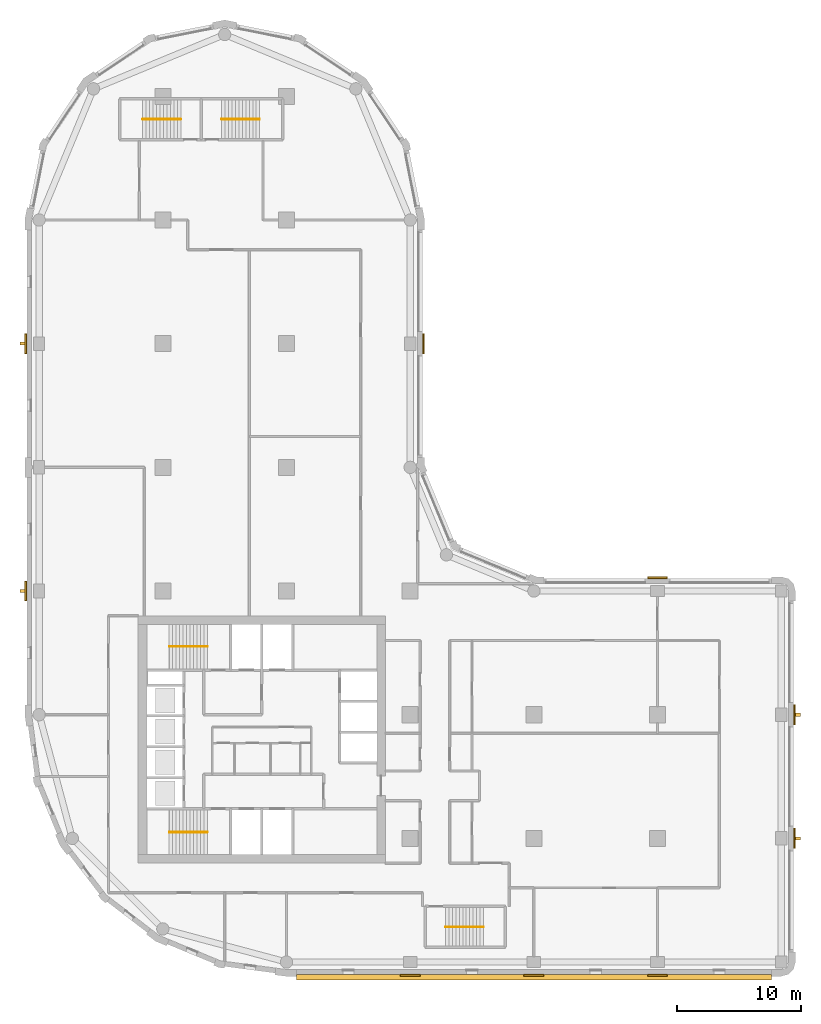
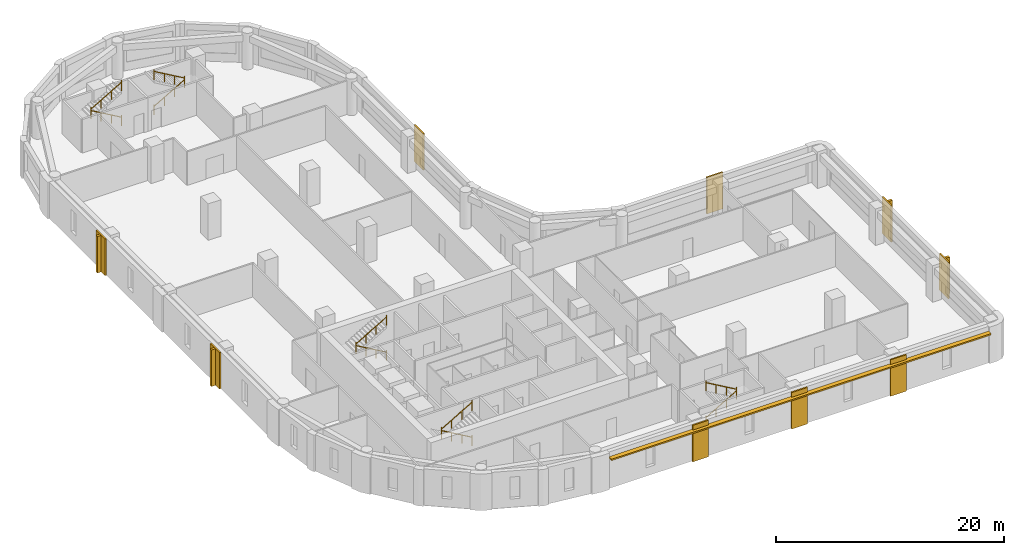
# One storey, part 8 of 9: 10 railings, 9 coverings, 5 shading devices.
"""IFC4 building model written with IfcOpenShell, lengths in metres."""

from ifc_helpers import new_model, si_unit, direction, frame, origin, origin_2d, place, context, subcontext, project, spatial, polyline, rectangle, circle, outline, extrude, material, layer, layer_set, type_object, element, save


model = new_model("IFC4")

# Units and contexts
model_context = context("Model", 3, precision=1e-05, world=origin(), true_north=direction((0.0, 1.0)))
body_context = subcontext(model_context, "Body", "Model", "MODEL_VIEW")
ifc_project = project(units=[si_unit("LENGTHUNIT", "METRE"), si_unit("AREAUNIT", "SQUARE_METRE"), si_unit("VOLUMEUNIT", "CUBIC_METRE"), si_unit("PLANEANGLEUNIT", "RADIAN"), si_unit("MASSUNIT", "GRAM", prefix="KILO")], contexts=[model_context])

# Site, building, storey
site_placement = place(None, origin())
site = spatial("IfcSite", under=ifc_project, at=site_placement, CompositionType="ELEMENT")
building_placement = place(site_placement, origin())
building = spatial("IfcBuilding", under=site, at=building_placement, Name="Qaws Garden Tower", CompositionType="ELEMENT")
storey_placement = place(building_placement, frame((0.0, 0.0, 170.699951171875)))
storey = spatial("IfcBuildingStorey", under=building, at=storey_placement, Name="L41", CompositionType="ELEMENT", Elevation=170.699951171875)

# Coverings
ifc_material_1 = material(Name="Clay facing brick masonry", Category="masonry")
ifc_layer_1 = layer(ifc_material_1, 0.14990234375)
ifc_layer_set_1 = layer_set([ifc_layer_1], Name="Clay facing brick masonry")
covering_type = type_object("IfcCoveringType", Name="Brick pilaster facing 150 x 1600", PredefinedType="CLADDING", material=ifc_layer_set_1)
placement = place(storey_placement, origin())
element("IfcCovering", 1, at=placement, inside=storey, type_object=covering_type, Name="E-L41-pier-01", PredefinedType="CLADDING", context=body_context, shape_type="SweptSolid", body=[
    extrude(outline(polyline([(29.199951171875, -1.0), (30.800048828125, -1.0), (30.800048828125, -1.14990234375), (29.199951171875, -1.14990234375), (29.199951171875, -1.0)])), origin(), (0.0, 0.0, 1.0), 3.900146484375),
])
element("IfcCovering", 2, at=placement, inside=storey, type_object=covering_type, Name="E-L41-pier-02", PredefinedType="CLADDING", context=body_context, shape_type="SweptSolid", body=[
    extrude(outline(polyline([(39.199951171875, -1.0), (40.800048828125, -1.0), (40.800048828125, -1.14990234375), (39.199951171875, -1.14990234375), (39.199951171875, -1.0)])), origin(), (0.0, 0.0, 1.0), 3.900146484375),
])
element("IfcCovering", 3, at=placement, inside=storey, type_object=covering_type, Name="E-L41-pier-03", PredefinedType="CLADDING", context=body_context, shape_type="SweptSolid", body=[
    extrude(outline(polyline([(49.199951171875, -1.0), (50.800048828125, -1.0), (50.800048828125, -1.14990234375), (49.199951171875, -1.14990234375), (49.199951171875, -1.0)])), origin(), (0.0, 0.0, 1.0), 3.900146484375),
])
element("IfcCovering", 4, at=placement, inside=storey, type_object=covering_type, Name="E-L41-pier-05", PredefinedType="CLADDING", context=body_context, shape_type="SweptSolid", body=[
    extrude(outline(polyline([(61.0, 9.199951171875), (61.0, 10.800048828125), (61.14990234375, 10.800048828125), (61.14990234375, 9.199951171875), (61.0, 9.199951171875)])), origin(), (0.0, 0.0, 1.0), 3.900146484375),
])
element("IfcCovering", 5, at=placement, inside=storey, type_object=covering_type, Name="E-L41-pier-06", PredefinedType="CLADDING", context=body_context, shape_type="SweptSolid", body=[
    extrude(outline(polyline([(61.0, 19.199951171875), (61.0, 20.800048828125), (61.14990234375, 20.800048828125), (61.14990234375, 19.199951171875), (61.0, 19.199951171875)])), origin(), (0.0, 0.0, 1.0), 3.900146484375),
])
element("IfcCovering", 6, at=placement, inside=storey, type_object=covering_type, Name="E-L41-pier-08", PredefinedType="CLADDING", context=body_context, shape_type="SweptSolid", body=[
    extrude(outline(polyline([(50.800048828125, 31.0), (49.199951171875, 31.0), (49.199951171875, 31.14990234375), (50.800048828125, 31.14990234375), (50.800048828125, 31.0)])), origin(), (0.0, 0.0, 1.0), 3.900146484375),
])
element("IfcCovering", 7, at=placement, inside=storey, type_object=covering_type, Name="E-L41-pier-12", PredefinedType="CLADDING", context=body_context, shape_type="SweptSolid", body=[
    extrude(outline(polyline([(31.0, 49.199951171875), (31.0, 50.800048828125), (31.14990234375, 50.800048828125), (31.14990234375, 49.199951171875), (31.0, 49.199951171875)])), origin(), (0.0, 0.0, 1.0), 3.900146484375),
])
element("IfcCovering", 8, at=placement, inside=storey, type_object=covering_type, Name="E-L41-pier-22", PredefinedType="CLADDING", context=body_context, shape_type="SweptSolid", body=[
    extrude(outline(polyline([(-1.0, 50.800048828125), (-1.0, 49.199951171875), (-1.14990234375, 49.199951171875), (-1.14990234375, 50.800048828125), (-1.0, 50.800048828125)])), origin(), (0.0, 0.0, 1.0), 3.900146484375),
])
element("IfcCovering", 9, at=placement, inside=storey, type_object=covering_type, Name="E-L41-pier-24", PredefinedType="CLADDING", context=body_context, shape_type="SweptSolid", body=[
    extrude(outline(polyline([(-1.0, 30.800048828125), (-1.0, 29.199951171875), (-1.14990234375, 29.199951171875), (-1.14990234375, 30.800048828125), (-1.0, 30.800048828125)])), origin(), (0.0, 0.0, 1.0), 3.900146484375),
])

# Shading devices
ifc_material_2 = material(Name="Clay facing brick masonry", Category="masonry")
ifc_layer_2 = layer(ifc_material_2, 0.14990234375)
ifc_layer_set_2 = layer_set([ifc_layer_2], Name="Clay facing brick masonry")
shading_device_type_1 = type_object("IfcShadingDeviceType", Name="Brick sunshade band 450 x 150", PredefinedType="JALOUSIE", material=ifc_layer_set_2)
shading_device_placement = place(storey_placement, frame((0.0, 0.0, 3.25)))
element("IfcShadingDevice", 10, at=shading_device_placement, inside=storey, type_object=shading_device_type_1, Name="SUNSHADE 00", PredefinedType="JALOUSIE", context=body_context, shape_type="SweptSolid", body=[
    extrude(outline(polyline([(20.800048828125, -1.0), (20.800048828125, -1.449951171875), (59.199951171875, -1.449951171875), (59.199951171875, -1.0), (50.800048828125, -1.0), (50.800048828125, -1.14990234375), (49.199951171875, -1.14990234375), (49.199951171875, -1.0), (40.800048828125, -1.0), (40.800048828125, -1.14990234375), (39.199951171875, -1.14990234375), (39.199951171875, -1.0), (30.800048828125, -1.0), (30.800048828125, -1.14990234375), (29.199951171875, -1.14990234375), (29.199951171875, -1.0), (20.800048828125, -1.0)])), origin(), (0.0, 0.0, 1.0), 0.150146484375),
])
ifc_material_3 = material(Name="Clay facing brick masonry", Category="masonry")
ifc_layer_3 = layer(ifc_material_3, 0.25)
ifc_layer_set_3 = layer_set([ifc_layer_3], Name="Clay facing brick masonry")
shading_device_type_2 = type_object("IfcShadingDeviceType", Name="Brick-faced fin 250 x 400", PredefinedType="USERDEFINED", material=ifc_layer_set_3)
for number, where, z_axis, x_axis, name in (
    (11, (61.35009765625, 10.0, 0.0), (0.0, 0.0, 1.0), (0.0, 1.0, 0.0), "FIN 05"),
    (12, (61.35009765625, 20.0, 0.0), (0.0, 0.0, 1.0), (0.0, 1.0, 0.0), "FIN 06"),
    (13, (-1.35009765625, 50.0, 0.0), (0.0, 0.0, 1.0), (0.0, -1.0, 0.0), "FIN 22"),
    (14, (-1.35009765625, 30.0, 0.0), (0.0, 0.0, 1.0), (0.0, -1.0, 0.0), "FIN 24"),
):
    element("IfcShadingDevice", number, at=place(storey_placement, frame(where, z_axis=z_axis, x_axis=x_axis)), inside=storey, type_object=shading_device_type_2, Name=name, ObjectType="FIN", PredefinedType="USERDEFINED", context=body_context, shape_type="SweptSolid", body=[
        extrude(rectangle(XDim=0.25, YDim=0.39990234375, at=origin_2d()), origin(), (0.0, 0.0, 1.0), 3.89990234375),
    ])

# Railings
ifc_material_4 = material(Name="Steel S355", Category="steel")
railing_type = type_object("IfcRailingType", Name="Stair handrail 900", PredefinedType="HANDRAIL", material=ifc_material_4)
railing_1_placement = place(storey_placement, frame((13.60009765625, 10.5, 0.16259765625)))
element("IfcRailing", 15, at=railing_1_placement, inside=storey, type_object=railing_type, Name="Stair 1 handrail", PredefinedType="HANDRAIL", context=body_context, shape_type="SweptSolid", body=[
    extrude(circle(Radius=0.02392578125, at=origin_2d()), frame((0.0, 0.0, 0.8759765625), z_axis=(-0.864920483161, 0.0, 0.501908913857), x_axis=(0.0, -1.0, 0.0)), (0.0, 0.0, 1.0), 3.56103515625),
    extrude(circle(Radius=0.02099609375, at=origin_2d()), origin(), (0.0, 0.0, 1.0), 1.06201171875),
    extrude(circle(Radius=0.02099609375, at=origin_2d()), frame((-1.026611328125, 0.0, 0.595703125)), (0.0, 0.0, 1.0), 0.851806640625),
    extrude(circle(Radius=0.02099609375, at=origin_2d()), frame((-2.053466796875, 0.0, 1.191650390625)), (0.0, 0.0, 1.0), 0.851806640625),
    extrude(circle(Radius=0.02099609375, at=origin_2d()), frame((-3.080078125, 0.0, 1.787353515625)), (0.0, 0.0, 1.0), 1.06201171875),
])
railing_2_placement = place(storey_placement, frame((10.52001953125, 10.5, 2.112548828125)))
element("IfcRailing", 16, at=railing_2_placement, inside=storey, type_object=railing_type, Name="Stair 1 handrail", PredefinedType="HANDRAIL", context=body_context, shape_type="SweptSolid", body=[
    extrude(circle(Radius=0.02392578125, at=origin_2d()), frame((0.0, 0.0, 0.8759765625), z_axis=(0.864890721111, 0.0, 0.501960198159), x_axis=(0.0, 1.0, 0.0)), (0.0, 0.0, 1.0), 3.561279296875),
    extrude(circle(Radius=0.02099609375, at=origin_2d()), origin(), (0.0, 0.0, 1.0), 1.06201171875),
    extrude(circle(Radius=0.02099609375, at=origin_2d()), frame((1.026611328125, 0.0, 0.595947265625)), (0.0, 0.0, 1.0), 0.851806640625),
    extrude(circle(Radius=0.02099609375, at=origin_2d()), frame((2.053466796875, 0.0, 1.191650390625)), (0.0, 0.0, 1.0), 0.851806640625),
    extrude(circle(Radius=0.02099609375, at=origin_2d()), frame((3.080078125, 0.0, 1.78759765625)), (0.0, 0.0, 1.0), 1.06201171875),
])
railing_3_placement = place(storey_placement, frame((13.60009765625, 25.5, 0.16259765625)))
element("IfcRailing", 17, at=railing_3_placement, inside=storey, type_object=railing_type, Name="Stair 4 handrail", PredefinedType="HANDRAIL", context=body_context, shape_type="SweptSolid", body=[
    extrude(circle(Radius=0.02392578125, at=origin_2d()), frame((0.0, 0.0, 0.8759765625), z_axis=(-0.864920483161, 0.0, 0.501908913857), x_axis=(0.0, -1.0, 0.0)), (0.0, 0.0, 1.0), 3.56103515625),
    extrude(circle(Radius=0.02099609375, at=origin_2d()), origin(), (0.0, 0.0, 1.0), 1.06201171875),
    extrude(circle(Radius=0.02099609375, at=origin_2d()), frame((-1.026611328125, 0.0, 0.595703125)), (0.0, 0.0, 1.0), 0.851806640625),
    extrude(circle(Radius=0.02099609375, at=origin_2d()), frame((-2.053466796875, 0.0, 1.191650390625)), (0.0, 0.0, 1.0), 0.851806640625),
    extrude(circle(Radius=0.02099609375, at=origin_2d()), frame((-3.080078125, 0.0, 1.787353515625)), (0.0, 0.0, 1.0), 1.06201171875),
])
railing_4_placement = place(storey_placement, frame((10.52001953125, 25.5, 2.112548828125)))
element("IfcRailing", 18, at=railing_4_placement, inside=storey, type_object=railing_type, Name="Stair 4 handrail", PredefinedType="HANDRAIL", context=body_context, shape_type="SweptSolid", body=[
    extrude(circle(Radius=0.02392578125, at=origin_2d()), frame((0.0, 0.0, 0.8759765625), z_axis=(0.864890721111, 0.0, 0.501960198159), x_axis=(0.0, 1.0, 0.0)), (0.0, 0.0, 1.0), 3.561279296875),
    extrude(circle(Radius=0.02099609375, at=origin_2d()), origin(), (0.0, 0.0, 1.0), 1.06201171875),
    extrude(circle(Radius=0.02099609375, at=origin_2d()), frame((1.026611328125, 0.0, 0.595947265625)), (0.0, 0.0, 1.0), 0.851806640625),
    extrude(circle(Radius=0.02099609375, at=origin_2d()), frame((2.053466796875, 0.0, 1.191650390625)), (0.0, 0.0, 1.0), 0.851806640625),
    extrude(circle(Radius=0.02099609375, at=origin_2d()), frame((3.080078125, 0.0, 1.78759765625)), (0.0, 0.0, 1.0), 1.06201171875),
])
railing_5_placement = place(storey_placement, frame((32.85009765625, 2.85009765625, 0.16259765625)))
element("IfcRailing", 19, at=railing_5_placement, inside=storey, type_object=railing_type, Name="Stair 5 handrail", PredefinedType="HANDRAIL", context=body_context, shape_type="SweptSolid", body=[
    extrude(circle(Radius=0.02392578125, at=origin_2d()), frame((0.0, 0.0, 0.8759765625), z_axis=(0.864903211148, 0.0, 0.501938676878), x_axis=(0.0, 1.0, 0.0)), (0.0, 0.0, 1.0), 3.560791015625),
    extrude(circle(Radius=0.02099609375, at=origin_2d()), origin(), (0.0, 0.0, 1.0), 1.06201171875),
    extrude(circle(Radius=0.02099609375, at=origin_2d()), frame((1.026611328125, 0.0, 0.595703125)), (0.0, 0.0, 1.0), 0.851806640625),
    extrude(circle(Radius=0.02099609375, at=origin_2d()), frame((2.05322265625, 0.0, 1.191650390625)), (0.0, 0.0, 1.0), 0.851806640625),
    extrude(circle(Radius=0.02099609375, at=origin_2d()), frame((3.079833984375, 0.0, 1.787353515625)), (0.0, 0.0, 1.0), 1.06201171875),
])
railing_6_placement = place(storey_placement, frame((35.929931640625, 2.85009765625, 2.112548828125)))
element("IfcRailing", 20, at=railing_6_placement, inside=storey, type_object=railing_type, Name="Stair 5 handrail", PredefinedType="HANDRAIL", context=body_context, shape_type="SweptSolid", body=[
    extrude(circle(Radius=0.02392578125, at=origin_2d()), frame((0.0, 0.0, 0.8759765625), z_axis=(-0.864873446163, 0.0, 0.501989962173), x_axis=(0.0, -1.0, 0.0)), (0.0, 0.0, 1.0), 3.56103515625),
    extrude(circle(Radius=0.02099609375, at=origin_2d()), origin(), (0.0, 0.0, 1.0), 1.06201171875),
    extrude(circle(Radius=0.02099609375, at=origin_2d()), frame((-1.026611328125, 0.0, 0.595947265625)), (0.0, 0.0, 1.0), 0.851806640625),
    extrude(circle(Radius=0.02099609375, at=origin_2d()), frame((-2.05322265625, 0.0, 1.191650390625)), (0.0, 0.0, 1.0), 0.851806640625),
    extrude(circle(Radius=0.02099609375, at=origin_2d()), frame((-3.079833984375, 0.0, 1.78759765625)), (0.0, 0.0, 1.0), 1.06201171875),
])
railing_7_placement = place(storey_placement, frame((11.449951171875, 68.14990234375, 0.16259765625)))
element("IfcRailing", 21, at=railing_7_placement, inside=storey, type_object=railing_type, Name="Stair 6 handrail", PredefinedType="HANDRAIL", context=body_context, shape_type="SweptSolid", body=[
    extrude(circle(Radius=0.02392578125, at=origin_2d()), frame((0.0, 0.0, 0.8759765625), z_axis=(-0.864903211148, 0.0, 0.501938676878), x_axis=(0.0, -1.0, 0.0)), (0.0, 0.0, 1.0), 3.560791015625),
    extrude(circle(Radius=0.02099609375, at=origin_2d()), origin(), (0.0, 0.0, 1.0), 1.06201171875),
    extrude(circle(Radius=0.02099609375, at=origin_2d()), frame((-1.026611328125, 0.0, 0.595703125)), (0.0, 0.0, 1.0), 0.851806640625),
    extrude(circle(Radius=0.02099609375, at=origin_2d()), frame((-2.05322265625, 0.0, 1.191650390625)), (0.0, 0.0, 1.0), 0.851806640625),
    extrude(circle(Radius=0.02099609375, at=origin_2d()), frame((-3.079833984375, 0.0, 1.787353515625)), (0.0, 0.0, 1.0), 1.06201171875),
])
railing_8_placement = place(storey_placement, frame((8.3701171875, 68.14990234375, 2.112548828125)))
element("IfcRailing", 22, at=railing_8_placement, inside=storey, type_object=railing_type, Name="Stair 6 handrail", PredefinedType="HANDRAIL", context=body_context, shape_type="SweptSolid", body=[
    extrude(circle(Radius=0.02392578125, at=origin_2d()), frame((0.0, 0.0, 0.8759765625), z_axis=(0.864873446163, 0.0, 0.501989962173), x_axis=(0.0, 1.0, 0.0)), (0.0, 0.0, 1.0), 3.56103515625),
    extrude(circle(Radius=0.02099609375, at=origin_2d()), origin(), (0.0, 0.0, 1.0), 1.06201171875),
    extrude(circle(Radius=0.02099609375, at=origin_2d()), frame((1.026611328125, 0.0, 0.595947265625)), (0.0, 0.0, 1.0), 0.851806640625),
    extrude(circle(Radius=0.02099609375, at=origin_2d()), frame((2.05322265625, 0.0, 1.191650390625)), (0.0, 0.0, 1.0), 0.851806640625),
    extrude(circle(Radius=0.02099609375, at=origin_2d()), frame((3.079833984375, 0.0, 1.78759765625)), (0.0, 0.0, 1.0), 1.06201171875),
])
railing_9_placement = place(storey_placement, frame((14.75, 68.14990234375, 0.16259765625)))
element("IfcRailing", 23, at=railing_9_placement, inside=storey, type_object=railing_type, Name="Stair 7 handrail", PredefinedType="HANDRAIL", context=body_context, shape_type="SweptSolid", body=[
    extrude(circle(Radius=0.02392578125, at=origin_2d()), frame((0.0, 0.0, 0.8759765625), z_axis=(0.864920483161, 0.0, 0.501908913857), x_axis=(0.0, 1.0, 0.0)), (0.0, 0.0, 1.0), 3.56103515625),
    extrude(circle(Radius=0.02099609375, at=origin_2d()), origin(), (0.0, 0.0, 1.0), 1.06201171875),
    extrude(circle(Radius=0.02099609375, at=origin_2d()), frame((1.026611328125, 0.0, 0.595703125)), (0.0, 0.0, 1.0), 0.851806640625),
    extrude(circle(Radius=0.02099609375, at=origin_2d()), frame((2.053466796875, 0.0, 1.191650390625)), (0.0, 0.0, 1.0), 0.851806640625),
    extrude(circle(Radius=0.02099609375, at=origin_2d()), frame((3.080078125, 0.0, 1.787353515625)), (0.0, 0.0, 1.0), 1.06201171875),
])
railing_10_placement = place(storey_placement, frame((17.830078125, 68.14990234375, 2.112548828125)))
element("IfcRailing", 24, at=railing_10_placement, inside=storey, type_object=railing_type, Name="Stair 7 handrail", PredefinedType="HANDRAIL", context=body_context, shape_type="SweptSolid", body=[
    extrude(circle(Radius=0.02392578125, at=origin_2d()), frame((0.0, 0.0, 0.8759765625), z_axis=(-0.864890721111, 0.0, 0.501960198159), x_axis=(0.0, -1.0, 0.0)), (0.0, 0.0, 1.0), 3.561279296875),
    extrude(circle(Radius=0.02099609375, at=origin_2d()), origin(), (0.0, 0.0, 1.0), 1.06201171875),
    extrude(circle(Radius=0.02099609375, at=origin_2d()), frame((-1.026611328125, 0.0, 0.595947265625)), (0.0, 0.0, 1.0), 0.851806640625),
    extrude(circle(Radius=0.02099609375, at=origin_2d()), frame((-2.053466796875, 0.0, 1.191650390625)), (0.0, 0.0, 1.0), 0.851806640625),
    extrude(circle(Radius=0.02099609375, at=origin_2d()), frame((-3.080078125, 0.0, 1.78759765625)), (0.0, 0.0, 1.0), 1.06201171875),
])

save(model, "model.ifc")
